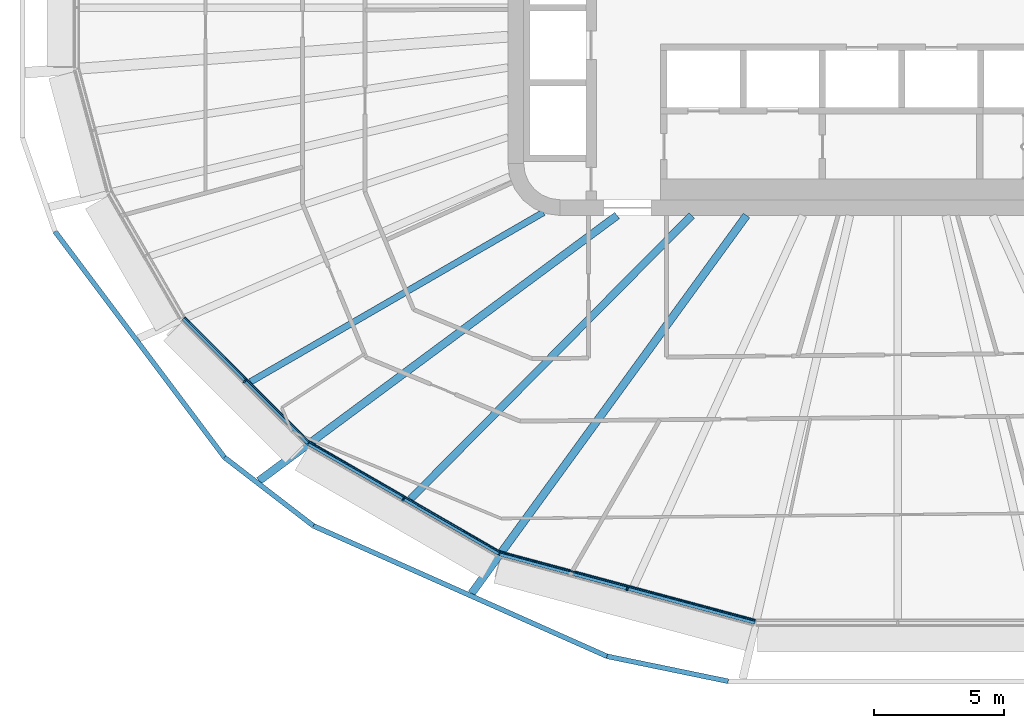
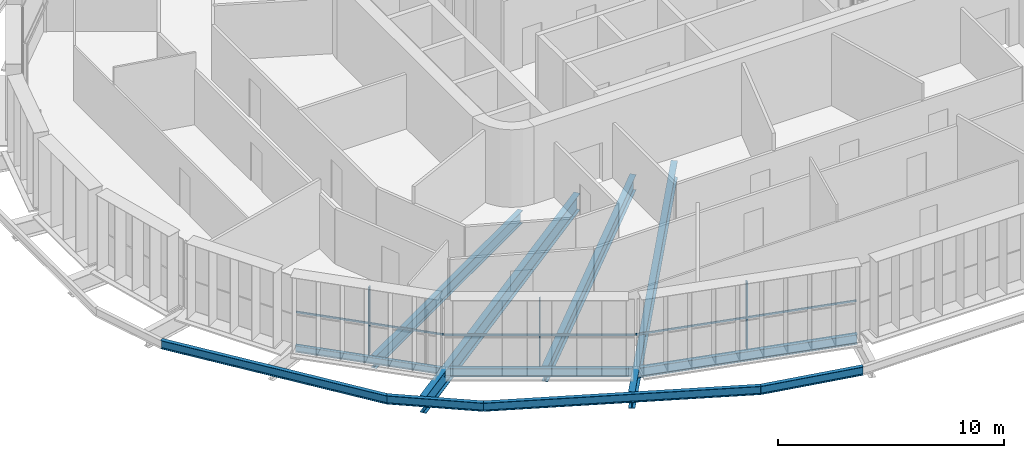
# One storey, part 1 of 26: 11 beams, 6 members, 3 elements without a shape of their own.
"""IFC4 building model written with IfcOpenShell, lengths in metres."""

from ifc_helpers import new_model, si_unit, direction, frame, origin, origin_2d, place, context, subcontext, project, spatial, rectangle, i_section, extrude, material, layer, layer_set, material_profile, profile_set, type_object, element, aggregate, save


model = new_model("IFC4")

# Units and contexts
model_context = context("Model", 3, precision=1e-05, world=origin(), true_north=direction((0.0, 1.0)))
body_context = subcontext(model_context, "Body", "Model", "MODEL_VIEW")
ifc_project = project(units=[si_unit("LENGTHUNIT", "METRE"), si_unit("AREAUNIT", "SQUARE_METRE"), si_unit("VOLUMEUNIT", "CUBIC_METRE"), si_unit("PLANEANGLEUNIT", "RADIAN"), si_unit("MASSUNIT", "GRAM", prefix="KILO")], contexts=[model_context])

# Site, building, storey
site_placement = place(None, origin())
site = spatial("IfcSite", under=ifc_project, at=site_placement, CompositionType="ELEMENT")
building_placement = place(site_placement, origin())
building = spatial("IfcBuilding", under=site, at=building_placement, Name="Sahrelin Media Tower", CompositionType="ELEMENT")
storey_placement = place(building_placement, frame((0.0, 0.0, 92.39990234375)))
storey = spatial("IfcBuildingStorey", under=building, at=storey_placement, Name="L17", CompositionType="ELEMENT", Elevation=92.39990234375)

# Beams
ifc_material_1 = material(Name="Steel S355", Category="steel")
ifc_material_profile_1 = material_profile(ifc_material_1, i_section(OverallWidth=0.17138671875, OverallDepth=0.35498046875, WebThickness=0.00732421875, FlangeThickness=0.011474609375, FilletRadius=0.01025390625, at=origin_2d()), Name="UB 356x171x51")
ifc_profile_set_1 = profile_set([ifc_material_profile_1], Name="Steel S355")
beam_type_1 = type_object("IfcBeamType", Name="Edge beam EB3", PredefinedType="BEAM", material=ifc_profile_set_1)
beam_1_placement = place(storey_placement, frame((-22.689697265625, -16.739013671875, -0.327392578125), z_axis=(-0.707106781187, 0.707106781187, 0.0), x_axis=(-0.707106781187, -0.707106781187, 0.0)))
element("IfcBeam", 1, at=beam_1_placement, inside=storey, type_object=beam_type_1, Name="Edge beam L17-10", PredefinedType="BEAM", context=body_context, shape_type="SweptSolid", body=[
    extrude(i_section(OverallWidth=0.17138671875, OverallDepth=0.35498046875, WebThickness=0.00732421875, FlangeThickness=0.011474609375, FilletRadius=0.01025390625, at=origin_2d()), origin(), (0.0, 0.0, 1.0), 6.7783203125),
])
ifc_material_profile_2 = material_profile(ifc_material_1, i_section(OverallWidth=0.1904296875, OverallDepth=0.45703125, WebThickness=0.009033203125, FlangeThickness=0.014404296875, FilletRadius=0.01025390625, at=origin_2d()), Name="UB 457x191x74")
ifc_profile_set_2 = profile_set([ifc_material_profile_2], Name="Steel S355")
beam_type_2 = type_object("IfcBeamType", Name="Edge beam EB5", PredefinedType="BEAM", material=ifc_profile_set_2)
beam_2_placement = place(storey_placement, frame((-15.3330078125, -20.99072265625, -0.37841796875), z_axis=(-0.866025712585, 0.499999465141, 0.0), x_axis=(-0.499999465141, -0.866025712585, 0.0)))
element("IfcBeam", 2, at=beam_2_placement, inside=storey, type_object=beam_type_2, Name="Edge beam L17-09", PredefinedType="BEAM", context=body_context, shape_type="SweptSolid", body=[
    extrude(i_section(OverallWidth=0.1904296875, OverallDepth=0.45703125, WebThickness=0.009033203125, FlangeThickness=0.014404296875, FilletRadius=0.01025390625, at=origin_2d()), origin(), (0.0, 0.0, 1.0), 8.46826171875),
])
ifc_material_profile_3 = material_profile(ifc_material_1, i_section(OverallWidth=0.208740234375, OverallDepth=0.5283203125, WebThickness=0.009521484375, FlangeThickness=0.01318359375, FilletRadius=0.0126953125, at=origin_2d()), Name="UB 533x210x82")
ifc_profile_set_3 = profile_set([ifc_material_profile_3], Name="Steel S355")
beam_type_3 = type_object("IfcBeamType", Name="Edge beam EB6", PredefinedType="BEAM", material=ifc_profile_set_3)
beam_3_placement = place(storey_placement, frame((-5.48828125, -23.632568359375, -0.4140625), z_axis=(-0.965923284876, 0.258828529599, 0.0), x_axis=(-0.258828529599, -0.965923284876, 0.0)))
element("IfcBeam", 3, at=beam_3_placement, inside=storey, type_object=beam_type_3, Name="Edge beam L17-08", PredefinedType="BEAM", context=body_context, shape_type="SweptSolid", body=[
    extrude(i_section(OverallWidth=0.208740234375, OverallDepth=0.5283203125, WebThickness=0.009521484375, FlangeThickness=0.01318359375, FilletRadius=0.0126953125, at=origin_2d()), origin(), (0.0, 0.0, 1.0), 10.16455078125),
])

# Curtain wall, member
ifc_material_2 = material(Name="Champagne anodised aluminium 6063-T6", Category="aluminium")
ifc_layer = layer(ifc_material_2, 0.14990234375)
ifc_layer_set = layer_set([ifc_layer], Name="Tower ribbon curtain wall")
curtain_wall_type = type_object("IfcCurtainWallType", Name="Tower ribbon curtain wall", PredefinedType="NOTDEFINED", material=ifc_layer_set)
curtain_wall_1_placement = place(storey_placement, frame((-25.192138671875, -14.44873046875, 0.0), z_axis=(0.0, 0.0, 1.0), x_axis=(1.0, 0.0, 0.0)))
curtain_wall_1 = element("IfcCurtainWall", 4, at=curtain_wall_1_placement, inside=storey, type_object=curtain_wall_type, Name="L17:CW:L17-15", PredefinedType="NOTDEFINED")
ifc_material_profile_4 = material_profile(ifc_material_2, rectangle(XDim=0.06005859375, YDim=0.14990234375, at=origin_2d()), Name="Mullion 60x150")
ifc_profile_set_4 = profile_set([ifc_material_profile_4], Name="Champagne anodised aluminium 6063-T6")
member_type_1 = type_object("IfcMemberType", Name="Mullion 60x150 CW1", PredefinedType="MULLION", material=ifc_profile_set_4)
member_1_placement = place(storey_placement, frame((-25.125, -14.381591796875, 0.0), z_axis=(0.0, 0.0, 1.0), x_axis=(0.707114185953, -0.707099376343, 0.0)))
member_1 = element("IfcMember", 5, at=member_1_placement, type_object=member_type_1, Name="L17:CWM:L17-15", PredefinedType="MULLION", context=body_context, shape_type="SweptSolid", body=[
    extrude(rectangle(XDim=0.06005859375, YDim=0.14990234375, at=origin_2d()), origin(), (0.0, 0.0, 1.0), 3.648681640625),
])

curtain_wall_2_placement = place(storey_placement, frame((-19.074951171875, -19.003662109375, 0.0), z_axis=(0.0, 0.0, 1.0), x_axis=(1.0, 0.0, 0.0)))
curtain_wall_2 = element("IfcCurtainWall", 6, at=curtain_wall_2_placement, inside=storey, type_object=curtain_wall_type, Name="L17:CW:L17-16", PredefinedType="NOTDEFINED")
member_2_placement = place(storey_placement, frame((-19.02734375, -18.92138671875, 0.0), z_axis=(0.0, 0.0, 1.0), x_axis=(0.866022785779, -0.500004534492, 0.0)))
member_2 = element("IfcMember", 7, at=member_2_placement, type_object=member_type_1, Name="L17:CWM:L17-16", PredefinedType="MULLION", context=body_context, shape_type="SweptSolid", body=[
    extrude(rectangle(XDim=0.06005859375, YDim=0.14990234375, at=origin_2d()), origin(), (0.0, 0.0, 1.0), 3.648681640625),
])

curtain_wall_3_placement = place(storey_placement, frame((-10.436279296875, -22.4619140625, 0.0), z_axis=(0.0, 0.0, 1.0), x_axis=(1.0, 0.0, 0.0)))
curtain_wall_3 = element("IfcCurtainWall", 8, at=curtain_wall_3_placement, inside=storey, type_object=curtain_wall_type, Name="L17:CW:L17-17", PredefinedType="NOTDEFINED")
member_3_placement = place(storey_placement, frame((-10.41162109375, -22.370361328125, 0.0), z_axis=(0.0, 0.0, 1.0), x_axis=(0.965926278012, -0.258817359244, 0.0)))
member_3 = element("IfcMember", 9, at=member_3_placement, type_object=member_type_1, Name="L17:CWM:L17-17", PredefinedType="MULLION", context=body_context, shape_type="SweptSolid", body=[
    extrude(rectangle(XDim=0.06005859375, YDim=0.14990234375, at=origin_2d()), origin(), (0.0, 0.0, 1.0), 3.648681640625),
])

# Beams
ifc_material_profile_5 = material_profile(ifc_material_1, i_section(OverallWidth=0.30322265625, OverallDepth=0.903076171875, WebThickness=0.01513671875, FlangeThickness=0.020263671875, FilletRadius=0.01904296875, at=origin_2d()), Name="UB 914x305x201")
ifc_profile_set_5 = profile_set([ifc_material_profile_5], Name="Steel S355")
beam_type_4 = type_object("IfcBeamType", Name="Radial primary beam PB11", PredefinedType="BEAM", material=ifc_profile_set_5)
beam_4_placement = place(storey_placement, frame((-10.798828125, -8.0, -0.601318359375), z_axis=(-0.803531476901, -0.595262266257, 0.0), x_axis=(0.595262266257, -0.803531476901, 0.0)))
element("IfcBeam", 10, at=beam_4_placement, inside=storey, type_object=beam_type_4, Name="Radial beam L17-16", PredefinedType="BEAM", context=body_context, shape_type="SweptSolid", body=[
    extrude(i_section(OverallWidth=0.30322265625, OverallDepth=0.903076171875, WebThickness=0.01513671875, FlangeThickness=0.020263671875, FilletRadius=0.01904296875, at=origin_2d()), origin(), (0.0, 0.0, 1.0), 17.154541015625),
])
beam_5_placement = place(storey_placement, frame((-5.8203125, -8.0, -0.601318359375), z_axis=(-0.588301637605, -0.808641566574, 0.0), x_axis=(0.808641566574, -0.588301637605, 0.0)))
element("IfcBeam", 11, at=beam_5_placement, inside=storey, type_object=beam_type_4, Name="Radial beam L17-17", PredefinedType="BEAM", context=body_context, shape_type="SweptSolid", body=[
    extrude(i_section(OverallWidth=0.30322265625, OverallDepth=0.903076171875, WebThickness=0.01513671875, FlangeThickness=0.020263671875, FilletRadius=0.01904296875, at=origin_2d()), origin(), (0.0, 0.0, 1.0), 17.9853515625),
])
ifc_material_profile_6 = material_profile(ifc_material_1, i_section(OverallWidth=0.291748046875, OverallDepth=0.8349609375, WebThickness=0.013916015625, FlangeThickness=0.018798828125, FilletRadius=0.017822265625, at=origin_2d()), Name="UB 838x292x176")
ifc_profile_set_6 = profile_set([ifc_material_profile_6], Name="Steel S355")
beam_type_5 = type_object("IfcBeamType", Name="Radial secondary beam SB10", PredefinedType="BEAM", material=ifc_profile_set_6)
beam_6_placement = place(storey_placement, frame((-7.93115234375, -8.0, -0.5673828125), z_axis=(-0.704056941584, -0.710143522823, 0.0), x_axis=(0.710143522823, -0.704056941584, 0.0)))
element("IfcBeam", 12, at=beam_6_placement, inside=storey, type_object=beam_type_5, Name="Secondary beam L17-16", PredefinedType="BEAM", context=body_context, shape_type="SweptSolid", body=[
    extrude(i_section(OverallWidth=0.291748046875, OverallDepth=0.8349609375, WebThickness=0.013916015625, FlangeThickness=0.018798828125, FilletRadius=0.017822265625, at=origin_2d()), origin(), (0.0, 0.0, 1.0), 15.362548828125),
])
ifc_material_profile_7 = material_profile(ifc_material_1, i_section(OverallWidth=0.2529296875, OverallDepth=0.677978515625, WebThickness=0.01171875, FlangeThickness=0.01611328125, FilletRadius=0.01513671875, at=origin_2d()), Name="UB 686x254x125")
ifc_profile_set_7 = profile_set([ifc_material_profile_7], Name="Steel S355")
beam_type_6 = type_object("IfcBeamType", Name="Radial secondary beam SB8", PredefinedType="BEAM", material=ifc_profile_set_7)
beam_7_placement = place(storey_placement, frame((-13.63525390625, -7.88330078125, -0.48876953125), z_axis=(-0.865726960109, -0.500516563703, 0.0), x_axis=(0.500516563703, -0.865726960109, 0.0)))
element("IfcBeam", 13, at=beam_7_placement, inside=storey, type_object=beam_type_6, Name="Secondary beam L17-15", PredefinedType="BEAM", context=body_context, shape_type="SweptSolid", body=[
    extrude(i_section(OverallWidth=0.2529296875, OverallDepth=0.677978515625, WebThickness=0.01171875, FlangeThickness=0.01611328125, FilletRadius=0.01513671875, at=origin_2d()), origin(), (0.0, 0.0, 1.0), 13.020263671875),
])
ifc_material_profile_8 = material_profile(ifc_material_1, i_section(OverallWidth=0.1904296875, OverallDepth=0.45703125, WebThickness=0.009033203125, FlangeThickness=0.014404296875, FilletRadius=0.01025390625, at=origin_2d()), Name="UB 457x191x74")
ifc_profile_set_8 = profile_set([ifc_material_profile_8], Name="Steel S355")
beam_type_7 = type_object("IfcBeamType", Name="Tie chord TC5", PredefinedType="BEAM", material=ifc_profile_set_8)
beam_8_placement = place(storey_placement, frame((-32.43212890625, -8.614013671875, -0.37841796875), z_axis=(0.600046705704, -0.799964968592, 0.0), x_axis=(0.799964968592, 0.600046705704, 0.0)))
element("IfcBeam", 14, at=beam_8_placement, inside=storey, type_object=beam_type_7, Name="Tie chord L17-14", PredefinedType="BEAM", context=body_context, shape_type="SweptSolid", body=[
    extrude(i_section(OverallWidth=0.1904296875, OverallDepth=0.45703125, WebThickness=0.009033203125, FlangeThickness=0.014404296875, FilletRadius=0.01025390625, at=origin_2d()), origin(), (0.0, 0.0, 1.0), 10.872314453125),
])
beam_9_placement = place(storey_placement, frame((-25.908203125, -17.3115234375, -0.37841796875), z_axis=(0.792463992423, -0.609918700084, 0.0), x_axis=(0.609918700084, 0.792463992423, 0.0)))
element("IfcBeam", 15, at=beam_9_placement, inside=storey, type_object=beam_type_7, Name="Tie chord L17-15", PredefinedType="BEAM", context=body_context, shape_type="SweptSolid", body=[
    extrude(i_section(OverallWidth=0.1904296875, OverallDepth=0.45703125, WebThickness=0.009033203125, FlangeThickness=0.014404296875, FilletRadius=0.01025390625, at=origin_2d()), origin(), (0.0, 0.0, 1.0), 4.311767578125),
])
beam_10_placement = place(storey_placement, frame((-22.4912109375, -19.94140625, -0.37841796875), z_axis=(0.913831088012, -0.406094499573, 0.0), x_axis=(0.406094499573, 0.913831088012, 0.0)))
element("IfcBeam", 16, at=beam_10_placement, inside=storey, type_object=beam_type_7, Name="Tie chord L17-16", PredefinedType="BEAM", context=body_context, shape_type="SweptSolid", body=[
    extrude(i_section(OverallWidth=0.1904296875, OverallDepth=0.45703125, WebThickness=0.009033203125, FlangeThickness=0.014404296875, FilletRadius=0.01025390625, at=origin_2d()), origin(), (0.0, 0.0, 1.0), 12.365234375),
])
beam_11_placement = place(storey_placement, frame((-11.19140625, -24.962890625, -0.37841796875), z_axis=(0.979386751897, -0.201994035084, 0.0), x_axis=(0.201994035084, 0.979386751897, 0.0)))
element("IfcBeam", 17, at=beam_11_placement, inside=storey, type_object=beam_type_7, Name="Tie chord L17-17", PredefinedType="BEAM", context=body_context, shape_type="SweptSolid", body=[
    extrude(i_section(OverallWidth=0.1904296875, OverallDepth=0.45703125, WebThickness=0.009033203125, FlangeThickness=0.014404296875, FilletRadius=0.01025390625, at=origin_2d()), origin(), (0.0, 0.0, 1.0), 4.765625),
])

# Member
ifc_material_profile_9 = material_profile(ifc_material_2, rectangle(XDim=0.050048828125, YDim=0.10009765625, at=origin_2d()), Name="Transom 50x100")
ifc_profile_set_9 = profile_set([ifc_material_profile_9], Name="Champagne anodised aluminium 6063-T6")
member_type_2 = type_object("IfcMemberType", Name="Transom 50x100 CW1", PredefinedType="USERDEFINED", material=ifc_profile_set_9)
member_4_placement = place(storey_placement, frame((-27.439697265625, -11.92529296875, 1.60009765625), z_axis=(0.707088688516, -0.707124873394, 0.0), x_axis=(0.707124873394, 0.707088688516, 0.0)))
member_4 = element("IfcMember", 18, at=member_4_placement, type_object=member_type_2, Name="L17:CWT:L17-15", ObjectType="TRANSOM", PredefinedType="USERDEFINED", context=body_context, shape_type="SweptSolid", body=[
    extrude(rectangle(XDim=0.050048828125, YDim=0.10009765625, at=origin_2d()), origin(), (0.0, 0.0, 1.0), 6.7470703125),
])

aggregate(curtain_wall_1, [member_1, member_4])

member_5_placement = place(storey_placement, frame((-22.630615234375, -16.7255859375, 1.60009765625), z_axis=(0.866029933621, -0.499992154011, 0.0), x_axis=(0.499992154011, 0.866029933621, 0.0)))
member_5 = element("IfcMember", 19, at=member_5_placement, type_object=member_type_2, Name="L17:CWT:L17-16", ObjectType="TRANSOM", PredefinedType="USERDEFINED", context=body_context, shape_type="SweptSolid", body=[
    extrude(rectangle(XDim=0.050048828125, YDim=0.10009765625, at=origin_2d()), origin(), (0.0, 0.0, 1.0), 8.436767578125),
])

aggregate(curtain_wall_2, [member_2, member_5])

member_6_placement = place(storey_placement, frame((-15.279541015625, -20.96240234375, 1.60009765625), z_axis=(0.965927940896, -0.258811153154, 0.0), x_axis=(0.258811153154, 0.965927940896, 0.0)))
member_6 = element("IfcMember", 20, at=member_6_placement, type_object=member_type_2, Name="L17:CWT:L17-17", ObjectType="TRANSOM", PredefinedType="USERDEFINED", context=body_context, shape_type="SweptSolid", body=[
    extrude(rectangle(XDim=0.050048828125, YDim=0.10009765625, at=origin_2d()), origin(), (0.0, 0.0, 1.0), 10.133056640625),
])

aggregate(curtain_wall_3, [member_3, member_6])

save(model, "model.ifc")
